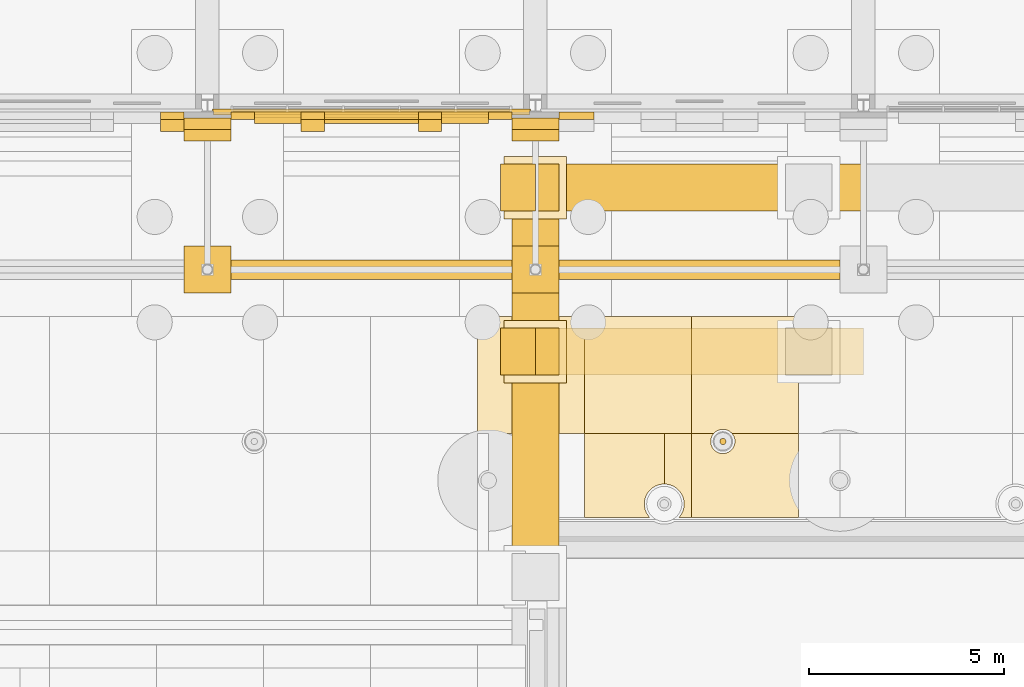
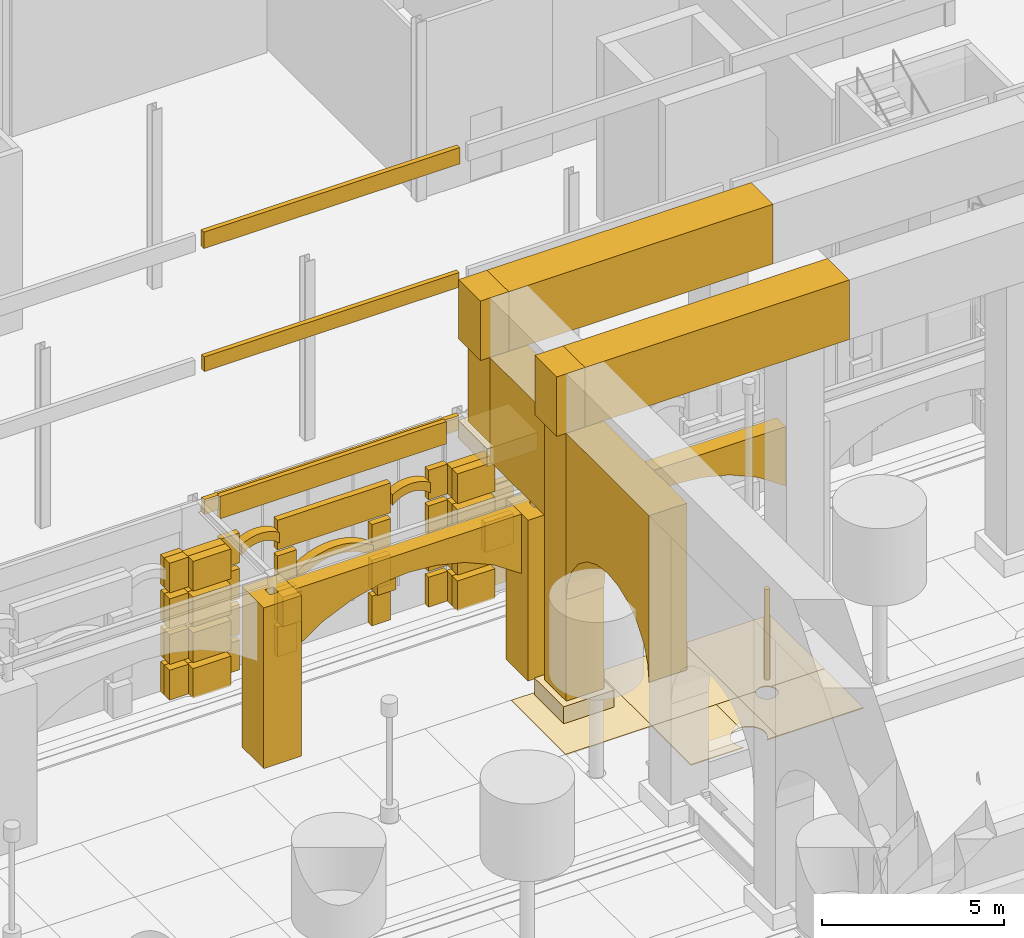
# One storey, part 117 of 222: 72 coverings.
"""IFC4 building model written with IfcOpenShell, lengths in metres."""

from ifc_helpers import new_model, si_unit, direction, frame, origin, origin_2d, place, context, subcontext, project, spatial, polyline, rectangle, hollow_rectangle, circle, outline, extrude, material, layer, layer_set, material_profile, profile_set, type_object, element, save


model = new_model("IFC4")

# Units and contexts
model_context = context("Model", 3, precision=1e-05, world=origin(), true_north=direction((0.0, 1.0)))
body_context = subcontext(model_context, "Body", "Model", "MODEL_VIEW")
ifc_project = project(units=[si_unit("LENGTHUNIT", "METRE"), si_unit("AREAUNIT", "SQUARE_METRE"), si_unit("VOLUMEUNIT", "CUBIC_METRE"), si_unit("PLANEANGLEUNIT", "RADIAN"), si_unit("MASSUNIT", "GRAM", prefix="KILO")], contexts=[model_context])

# Site, building, storey
site_placement = place(None, origin())
site = spatial("IfcSite", under=ifc_project, at=site_placement, CompositionType="ELEMENT")
building_placement = place(site_placement, origin())
building = spatial("IfcBuilding", under=site, at=building_placement, Name="Sava Quay Ferry Terminal", CompositionType="ELEMENT")
storey_placement = place(building_placement, origin())
storey = spatial("IfcBuildingStorey", under=building, at=storey_placement, Name="L00", CompositionType="ELEMENT", Elevation=0.0)

# Coverings
ifc_material_1 = material(Name="Limestone Mutalj ashlar", Category="masonry")
ifc_material_profile = material_profile(ifc_material_1, hollow_rectangle(XDim=1.199951171875, YDim=1.199951171875, WallThickness=0.462890625, at=origin_2d()), Name="Arcade pier 1200")
ifc_profile_set = profile_set([ifc_material_profile], Name="Limestone Mutalj ashlar")
covering_type_1 = type_object("IfcCoveringType", Name="Arcade pier 1200", PredefinedType="CLADDING", material=ifc_profile_set)
for number, where, z_axis, x_axis, name in (
    (1, (16.800048828125, 21.0, 0.0), (0.0, 0.0, 1.0), (1.0, 0.0, 0.0), "Arcade pier"),
    (2, (25.199951171875, 21.0, 0.0), (0.0, 0.0, 1.0), (1.0, 0.0, 0.0), "Arcade pier"),
):
    element("IfcCovering", number, at=place(storey_placement, frame(where, z_axis=z_axis, x_axis=x_axis)), inside=storey, type_object=covering_type_1, Name=name, PredefinedType="CLADDING", context=body_context, shape_type="SweptSolid", body=[
        extrude(hollow_rectangle(XDim=1.199951171875, YDim=1.199951171875, WallThickness=0.462890625, at=origin_2d()), origin(), (0.0, 0.0, 1.0), 5.39990234375),
    ])
ifc_material_2 = material(Name="Limestone Mutalj", Category="masonry")
ifc_layer_1 = layer(ifc_material_2, 0.300048828125)
ifc_layer_set_1 = layer_set([ifc_layer_1], Name="Limestone Mutalj")
covering_type_2 = type_object("IfcCoveringType", Name="Arch band 280", PredefinedType="MOLDING", material=ifc_layer_set_1)
covering_1_placement = place(storey_placement, frame((19.800048828125, 24.739990234375, 2.39990234375), z_axis=(0.0, -1.0, 0.0), x_axis=(0.781799047793, 0.0, 0.623530471485)))
element("IfcCovering", 3, at=covering_1_placement, inside=storey, type_object=covering_type_2, Name="Arch band", PredefinedType="MOLDING", context=body_context, shape_type="SweptSolid", body=[
    extrude(outline(polyline([(0.0, 0.0), (0.30697176602161635, 0.0), (0.5774085434796663, -0.04580853795661438), (0.820139621277012, -0.12635521719699466), (1.0394274147460691, -0.23629570829286917), (1.237403131553046, -0.37295784653010206), (1.4146756881740021, -0.5355781562760831), (1.5706361681328775, -0.7249201131634224), (1.7031533637634648, -0.9436558819062563), (1.8079648597333475, -1.1971297919328558), (1.876241367139664, -1.4964122399160698), (2.103823900066879, -1.2110632222279927), (2.011190733618185, -0.9423197995491883), (1.8922219295799203, -0.7065966979807768), (1.751179903284501, -0.49854958809448635), (1.5908047788741946, -0.31474282954357125), (1.41200993106309, -0.1540312088791158), (1.2155565054462616, -0.015460381560357339), (1.0006833564286355, 0.1000153078719414), (0.766477109296122, 0.19125064596886504), (0.5101976399064538, 0.2548099923836675), (0.2275825329272151, 0.2853490176880771), (0.0, 0.0)])), origin(), (0.0, 0.0, -1.0), 0.300048828125),
])
covering_2_placement = place(storey_placement, frame((18.0, 24.739990234375, 3.89990234375), z_axis=(0.0, -1.0, 0.0), x_axis=(0.766686318179, 0.0, 0.642021876199)))
element("IfcCovering", 4, at=covering_2_placement, inside=storey, type_object=covering_type_2, Name="Arch band", PredefinedType="MOLDING", context=body_context, shape_type="SweptSolid", body=[
    extrude(outline(polyline([(0.0, 0.0), (0.15667057654730215, -1.3877787807814457e-17), (0.29293404656438327, -0.02398938309786766), (0.414337308134961, -0.06610472040016957), (0.5230139006591377, -0.1230376562322823), (0.6205921316676617, -0.19360424362325043), (0.7070111298509724, -0.2771166367750381), (0.7823317665186302, -0.3742626814856812), (0.844925734139887, -0.48622632472613514), (0.8926594933146406, -0.6163159221710233), (0.919986145959173, -0.7703949027137791), (1.1489885778747033, -0.49692597916416525), (1.0994043308893047, -0.3694264559410845), (1.0383473638344554, -0.2552470970326215), (0.9677594714851411, -0.1528295969140227), (0.8882067570202763, -0.06073739267965583), (0.8003770662378966, 0.021090386980039788), (0.7042095278284416, 0.09334158786309998), (0.5997650131014718, 0.15532836417148896), (0.4863556762589516, 0.20698984459564596), (0.3634154141219664, 0.2468894662299388), (0.22900243191553027, 0.27346892354961383), (0.0, 0.0)])), origin(), (0.0, 0.0, -1.0), 0.300048828125),
])
covering_3_placement = place(storey_placement, frame((22.800048828125, 24.739990234375, 3.89990234375), z_axis=(0.0, -1.0, 0.0), x_axis=(0.766042844353, 0.0, 0.642789515017)))
element("IfcCovering", 5, at=covering_3_placement, inside=storey, type_object=covering_type_2, Name="Arch band", PredefinedType="MOLDING", context=body_context, shape_type="SweptSolid", body=[
    extrude(outline(polyline([(0.0, 0.0), (0.1564834757725232, 0.0), (0.29290987034562144, -0.02428279209876255), (0.4140838634817109, -0.06636278232810475), (0.522890396081421, -0.12356147789515273), (0.6202108720586751, -0.19406883930165053), (0.706733197838947, -0.2778246842578833), (0.781769466996763, -0.374889195053566), (0.8444382756181996, -0.4870724111869544), (0.8918546828026273, -0.6170528254509224), (0.9192140087876302, -0.771316031813653), (1.14849024937354, -0.4980766285911245), (1.098846716569099, -0.3703705716175788), (1.0380911714997962, -0.2562870425513622), (0.9674188801474346, -0.15364195753662468), (0.8881454730732465, -0.0616270455684631), (0.8002107679875174, 0.020445599778596002), (0.7043026713157206, 0.09263616079426751), (0.5997332766323826, 0.15488445518883656), (0.48656276622721817, 0.20650257653682963), (0.3634755095389949, 0.24668225383334366), (0.2292762405859099, 0.27323940322252854), (0.0, 0.0)])), origin(), (0.0, 0.0, -1.0), 0.300048828125),
])
ifc_material_3 = material(Name="Limestone Mutalj", Category="masonry")
ifc_layer_2 = layer(ifc_material_3, 0.5)
ifc_layer_set_2 = layer_set([ifc_layer_2], Name="Limestone Mutalj")
covering_type_3 = type_object("IfcCoveringType", Name="Arch spandrel 500", PredefinedType="CLADDING", material=ifc_layer_set_2)
covering_4_placement = place(storey_placement, frame((17.39990234375, 20.75, 3.39990234375), z_axis=(0.0, -1.0, 0.0), x_axis=(0.82736032354, 0.0, 0.561671518801)))
element("IfcCovering", 6, at=covering_4_placement, inside=storey, type_object=covering_type_3, Name="Arch spandrel", PredefinedType="CLADDING", context=body_context, shape_type="SweptSolid", body=[
    extrude(outline(polyline([(0.0, 0.0), (1.0879739561645294, 0.0), (2.0537030363386926, -0.1796359903397191), (2.9236453238279805, -0.500803694057504), (3.7087783614579344, -0.9464634993634635), (4.412732312386162, -1.5117027264310134), (5.0322809979880345, -2.2017083087580276), (5.555638906372053, -3.032971350791818), (5.957155923298685, -4.044144636836617), (7.080498960900935, -2.3894239897573137), (1.1233430376022504, 1.6547206470793037), (0.0, 0.0)])), origin(), (0.0, 0.0, -1.0), 0.5),
])
covering_5_placement = place(storey_placement, frame((25.800048828125, 20.75, 3.39990234375), z_axis=(0.0, -1.0, 0.0), x_axis=(0.827289511466, 0.0, 0.561775813131)))
element("IfcCovering", 7, at=covering_5_placement, inside=storey, type_object=covering_type_3, Name="Arch spandrel", PredefinedType="CLADDING", context=body_context, shape_type="SweptSolid", body=[
    extrude(outline(polyline([(0.0, 0.0), (1.0877719725412898, 0.0), (2.0536803747274233, -0.17989488306098533), (2.92338019324587, -0.5010350986935066), (3.7084570438196027, -0.946793875989717), (4.412541708880196, -1.5122589927881132), (5.031801431017692, -2.202205518952071), (5.555256519444271, -3.0336716822838197), (5.956444087558922, -4.044758424080299), (7.079995713820012, -2.3901794011484654), (1.12355162626109, 1.6545790229318331), (0.0, 0.0)])), origin(), (0.0, 0.0, -1.0), 0.5),
])
ifc_material_4 = material(Name="Limestone Mutalj", Category="masonry")
ifc_layer_3 = layer(ifc_material_4, 0.030029296875)
ifc_layer_set_3 = layer_set([ifc_layer_3], Name="Limestone Mutalj")
covering_type_4 = type_object("IfcCoveringType", Name="Court paving tile 30", PredefinedType="FLOORING", material=ifc_layer_set_3)
covering_6_placement = place(storey_placement, origin())
element("IfcCovering", 8, at=covering_6_placement, inside=storey, type_object=covering_type_4, Name="Limestone paving tile", PredefinedType="FLOORING", context=body_context, shape_type="SweptSolid", body=[
    extrude(outline(polyline([(29.199951171875, 16.800048828125), (29.199951171875, 19.800048828125), (26.4599609375, 19.800048828125), (26.4599609375, 16.800048828125), (29.199951171875, 16.800048828125)])), origin(), (0.0, 0.0, 1.0), 0.030029296875),
])
covering_7_placement = place(storey_placement, origin())
element("IfcCovering", 9, at=covering_7_placement, inside=storey, type_object=covering_type_4, Name="Limestone paving tile", PredefinedType="FLOORING", context=body_context, shape_type="SweptSolid", body=[
    extrude(outline(polyline([(31.93994140625, 14.64990234375), (31.93994140625, 16.800048828125), (30.237060546875, 16.800048828125), (30.257080078125, 16.77294921875), (30.27392578125, 16.74609375), (30.287109375, 16.718017578125), (30.303955078125, 16.659912109375), (30.30908203125, 16.6298828125), (30.31005859375, 16.60009765625), (30.30810546875, 16.569091796875), (30.303955078125, 16.5400390625), (30.297119140625, 16.510009765625), (30.285888671875, 16.48095703125), (30.27294921875, 16.452880859375), (30.258056640625, 16.427978515625), (30.239013671875, 16.403076171875), (30.218994140625, 16.3798828125), (30.172119140625, 16.342041015625), (30.14697265625, 16.326904296875), (30.118896484375, 16.31396484375), (30.090087890625, 16.302978515625), (30.06005859375, 16.2958984375), (30.031005859375, 16.2919921875), (30.0, 16.2900390625), (29.969970703125, 16.291015625), (29.93994140625, 16.2958984375), (29.882080078125, 16.31298828125), (29.85400390625, 16.325927734375), (29.827880859375, 16.342041015625), (29.802978515625, 16.361083984375), (29.780029296875, 16.381103515625), (29.741943359375, 16.427978515625), (29.72705078125, 16.452880859375), (29.714111328125, 16.48095703125), (29.702880859375, 16.510009765625), (29.696044921875, 16.5400390625), (29.69189453125, 16.569091796875), (29.68994140625, 16.60009765625), (29.69091796875, 16.6298828125), (29.696044921875, 16.659912109375), (29.712890625, 16.718017578125), (29.72607421875, 16.74609375), (29.742919921875, 16.77294921875), (29.762939453125, 16.800048828125), (29.199951171875, 16.800048828125), (29.199951171875, 14.64990234375), (31.93994140625, 14.64990234375)])), origin(), (0.0, 0.0, 1.0), 0.030029296875),
])
ifc_material_5 = material(Name="Red sandstone Vrsac", Category="masonry")
ifc_layer_4 = layer(ifc_material_5, 0.030029296875)
ifc_layer_set_4 = layer_set([ifc_layer_4], Name="Red sandstone Vrsac")
covering_type_5 = type_object("IfcCoveringType", Name="Court paving tile sandstone 30", PredefinedType="FLOORING", material=ifc_layer_set_4)
covering_8_placement = place(storey_placement, origin())
element("IfcCovering", 10, at=covering_8_placement, inside=storey, type_object=covering_type_5, Name="Sandstone paving tile", PredefinedType="FLOORING", context=body_context, shape_type="SweptSolid", body=[
    extrude(outline(polyline([(26.4599609375, 16.800048828125), (26.4599609375, 19.800048828125), (23.719970703125, 19.800048828125), (23.719970703125, 16.800048828125), (26.4599609375, 16.800048828125)])), origin(), (0.0, 0.0, 1.0), 0.030029296875),
])
covering_9_placement = place(storey_placement, origin())
element("IfcCovering", 11, at=covering_9_placement, inside=storey, type_object=covering_type_5, Name="Sandstone paving tile", PredefinedType="FLOORING", context=body_context, shape_type="SweptSolid", body=[
    extrude(outline(polyline([(31.93994140625, 16.800048828125), (31.93994140625, 19.800048828125), (29.199951171875, 19.800048828125), (29.199951171875, 16.800048828125), (29.762939453125, 16.800048828125), (29.781005859375, 16.820068359375), (29.802978515625, 16.839111328125), (29.826904296875, 16.85693359375), (29.85302734375, 16.873046875), (29.881103515625, 16.885986328125), (29.909912109375, 16.89599609375), (29.93994140625, 16.904052734375), (29.969970703125, 16.908935546875), (30.0, 16.909912109375), (30.031005859375, 16.907958984375), (30.06103515625, 16.904052734375), (30.090087890625, 16.89599609375), (30.118896484375, 16.885986328125), (30.14697265625, 16.873046875), (30.173095703125, 16.85693359375), (30.197021484375, 16.839111328125), (30.218994140625, 16.820068359375), (30.237060546875, 16.800048828125), (31.93994140625, 16.800048828125)])), origin(), (0.0, 0.0, 1.0), 0.030029296875),
])
covering_10_placement = place(storey_placement, origin())
element("IfcCovering", 12, at=covering_10_placement, inside=storey, type_object=covering_type_5, Name="Sandstone paving tile", PredefinedType="FLOORING", context=body_context, shape_type="SweptSolid", body=[
    extrude(outline(polyline([(28.5, 15.510009765625), (28.5, 16.800048828125), (26.4599609375, 16.800048828125), (26.4599609375, 14.64990234375), (28.1298828125, 14.64990234375), (28.10498046875, 14.677001953125), (28.075927734375, 14.717041015625), (28.050048828125, 14.760009765625), (28.029052734375, 14.804931640625), (28.011962890625, 14.85205078125), (28.0, 14.90087890625), (27.991943359375, 14.950927734375), (27.989990234375, 15.0), (27.992919921875, 15.050048828125), (28.0, 15.10009765625), (28.011962890625, 15.14892578125), (28.029052734375, 15.196044921875), (28.050048828125, 15.240966796875), (28.075927734375, 15.283935546875), (28.10595703125, 15.323974609375), (28.139892578125, 15.361083984375), (28.177001953125, 15.39501953125), (28.217041015625, 15.424072265625), (28.260009765625, 15.449951171875), (28.304931640625, 15.470947265625), (28.35205078125, 15.488037109375), (28.40087890625, 15.5), (28.450927734375, 15.508056640625), (28.5, 15.510009765625)])), origin(), (0.0, 0.0, 1.0), 0.030029296875),
])
covering_11_placement = place(storey_placement, origin())
element("IfcCovering", 13, at=covering_11_placement, inside=storey, type_object=covering_type_5, Name="Sandstone paving tile", PredefinedType="FLOORING", context=body_context, shape_type="SweptSolid", body=[
    extrude(outline(polyline([(29.199951171875, 14.64990234375), (29.199951171875, 16.800048828125), (28.5, 16.800048828125), (28.5, 15.510009765625), (28.550048828125, 15.507080078125), (28.60009765625, 15.5), (28.64892578125, 15.488037109375), (28.696044921875, 15.470947265625), (28.740966796875, 15.449951171875), (28.783935546875, 15.424072265625), (28.823974609375, 15.39404296875), (28.861083984375, 15.360107421875), (28.89501953125, 15.322998046875), (28.924072265625, 15.282958984375), (28.949951171875, 15.239990234375), (28.970947265625, 15.195068359375), (28.988037109375, 15.14794921875), (29.0, 15.09912109375), (29.008056640625, 15.049072265625), (29.010009765625, 15.0), (29.007080078125, 14.949951171875), (29.0, 14.89990234375), (28.988037109375, 14.85107421875), (28.970947265625, 14.803955078125), (28.949951171875, 14.759033203125), (28.924072265625, 14.716064453125), (28.89404296875, 14.676025390625), (28.8701171875, 14.64990234375), (29.199951171875, 14.64990234375)])), origin(), (0.0, 0.0, 1.0), 0.030029296875),
])
ifc_material_6 = material(Name="Steel S355", Category="steel")
ifc_layer_5 = layer(ifc_material_6, 0.159912109375)
ifc_layer_set_5 = layer_set([ifc_layer_5], Name="Steel S355")
covering_type_6 = type_object("IfcCoveringType", Name="Lamp standard column 160", PredefinedType="CLADDING", material=ifc_layer_set_5)
covering_12_placement = place(storey_placement, frame((30.0, 16.60009765625, 3.550048828125), z_axis=(0.0, 0.0, -1.0), x_axis=(1.0, 0.0, 0.0)))
element("IfcCovering", 14, at=covering_12_placement, inside=storey, type_object=covering_type_6, Name="Lamp standard column", PredefinedType="CLADDING", context=body_context, shape_type="SweptSolid", body=[
    extrude(circle(Radius=0.080078125, at=origin_2d()), origin(), (0.0, 0.0, 1.0), 3.050048828125),
])
ifc_material_7 = material(Name="Limestone Mutalj", Category="masonry")
ifc_layer_6 = layer(ifc_material_7, 0.14990234375)
ifc_layer_set_6 = layer_set([ifc_layer_6], Name="Limestone Mutalj")
covering_type_7 = type_object("IfcCoveringType", Name="Limestone string course 150", PredefinedType="CLADDING", material=ifc_layer_set_6)
covering_13_placement = place(storey_placement, frame((0.0, 0.0, 5.25)))
element("IfcCovering", 15, at=covering_13_placement, inside=storey, type_object=covering_type_7, Name="String course W-S", PredefinedType="CLADDING", context=body_context, shape_type="SweptSolid", body=[
    extrude(outline(polyline([(17.39990234375, 25.0400390625), (24.60009765625, 25.0400390625), (24.60009765625, 24.889892578125), (17.39990234375, 24.889892578125), (17.39990234375, 25.0400390625)])), origin(), (0.0, 0.0, 1.0), 0.75),
])
ifc_material_8 = material(Name="Limestone Mutalj", Category="masonry")
ifc_layer_7 = layer(ifc_material_8, 2.0)
ifc_layer_set_7 = layer_set([ifc_layer_7], Name="Limestone Mutalj")
covering_type_8 = type_object("IfcCoveringType", Name="Portico entablature 2000", PredefinedType="CLADDING", material=ifc_layer_set_7)
covering_14_placement = place(storey_placement, frame((24.75, 18.89990234375, 9.60009765625), z_axis=(0.0, 0.0, 1.0), x_axis=(1.0, 0.0, 0.0)))
element("IfcCovering", 16, at=covering_14_placement, inside=storey, type_object=covering_type_8, Name="Portico entablature", PredefinedType="CLADDING", context=body_context, shape_type="SweptSolid", body=[
    extrude(rectangle(XDim=0.89990234375, YDim=1.199951171875, at=origin_2d()), origin(), (0.0, 0.0, 1.0), 2.0),
])
covering_15_placement = place(storey_placement, frame((29.39990234375, 18.89990234375, 9.60009765625), z_axis=(0.0, 0.0, 1.0), x_axis=(1.0, 0.0, 0.0)))
element("IfcCovering", 17, at=covering_15_placement, inside=storey, type_object=covering_type_8, Name="Portico entablature", PredefinedType="CLADDING", context=body_context, shape_type="SweptSolid", body=[
    extrude(rectangle(XDim=8.39990234375, YDim=1.199951171875, at=origin_2d()), origin(), (0.0, 0.0, 1.0), 2.0),
])
covering_16_placement = place(storey_placement, frame((24.75, 23.10009765625, 9.60009765625), z_axis=(0.0, 0.0, 1.0), x_axis=(1.0, 0.0, 0.0)))
element("IfcCovering", 18, at=covering_16_placement, inside=storey, type_object=covering_type_8, Name="Portico entablature", PredefinedType="CLADDING", context=body_context, shape_type="SweptSolid", body=[
    extrude(rectangle(XDim=0.89990234375, YDim=1.199951171875, at=origin_2d()), origin(), (0.0, 0.0, 1.0), 2.0),
])
covering_17_placement = place(storey_placement, frame((29.39990234375, 23.10009765625, 9.60009765625), z_axis=(0.0, 0.0, 1.0), x_axis=(1.0, 0.0, 0.0)))
element("IfcCovering", 19, at=covering_17_placement, inside=storey, type_object=covering_type_8, Name="Portico entablature", PredefinedType="CLADDING", context=body_context, shape_type="SweptSolid", body=[
    extrude(rectangle(XDim=8.39990234375, YDim=1.199951171875, at=origin_2d()), origin(), (0.0, 0.0, 1.0), 2.0),
])
ifc_material_9 = material(Name="Limestone Mutalj", Category="masonry")
ifc_layer_8 = layer(ifc_material_9, 1.199951171875)
ifc_layer_set_8 = layer_set([ifc_layer_8], Name="Limestone Mutalj")
covering_type_9 = type_object("IfcCoveringType", Name="Return arcade spandrel 1200", PredefinedType="CLADDING", material=ifc_layer_set_8)
covering_18_placement = place(storey_placement, frame((24.60009765625, 13.7333984375, 4.0), z_axis=(-1.0, 0.0, 0.0), x_axis=(0.0, 0.0, 1.0)))
element("IfcCovering", 20, at=covering_18_placement, inside=storey, type_object=covering_type_9, Name="Return arcade spandrel", PredefinedType="CLADDING", context=body_context, shape_type="SweptSolid", body=[
    extrude(outline(polyline([(0.0, 0.0), (5.60009765625, 0.0), (5.60009765625, 4.566650390625), (0.0, 4.566650390625), (0.591064453125, 4.48876953125), (1.1416015625, 4.2607421875), (1.614501953125, 3.897705078125), (1.977294921875, 3.4248046875), (2.20556640625, 2.874267578125), (2.283203125, 2.283203125), (2.20556640625, 1.6923828125), (1.977294921875, 1.1416015625), (1.614501953125, 0.668701171875), (1.1416015625, 0.305908203125), (0.591064453125, 0.07763671875), (0.0, 0.0)])), origin(), (0.0, 0.0, -1.0), 1.199951171875),
])
covering_19_placement = place(storey_placement, frame((24.60009765625, 19.5, 6.1201171875), z_axis=(-1.0, 0.0, 0.0), x_axis=(0.0, 0.0, 1.0)))
element("IfcCovering", 21, at=covering_19_placement, inside=storey, type_object=covering_type_9, Name="Return arcade spandrel", PredefinedType="CLADDING", context=body_context, shape_type="SweptSolid", body=[
    extrude(outline(polyline([(0.0, 0.0), (3.47998046875, 0.0), (3.47998046875, 3.0), (0.0, 3.0), (0.0, 0.0)])), origin(), (0.0, 0.0, -1.0), 1.199951171875),
])
ifc_material_10 = material(Name="Limestone Mutalj", Category="masonry")
ifc_layer_9 = layer(ifc_material_10, 1.199951171875)
ifc_layer_set_9 = layer_set([ifc_layer_9], Name="Limestone Mutalj")
covering_type_10 = type_object("IfcCoveringType", Name="Return pier 1200", PredefinedType="CLADDING", material=ifc_layer_set_9)
covering_20_placement = place(storey_placement, frame((25.199951171875, 18.89990234375, 0.60009765625), z_axis=(0.0, 0.0, 1.0), x_axis=(1.0, 0.0, 0.0)))
element("IfcCovering", 22, at=covering_20_placement, inside=storey, type_object=covering_type_10, Name="Return pier", PredefinedType="CLADDING", context=body_context, shape_type="SweptSolid", body=[
    extrude(rectangle(XDim=1.199951171875, YDim=1.199951171875, at=origin_2d()), origin(), (0.0, 0.0, 1.0), 9.0),
])
covering_21_placement = place(storey_placement, frame((25.199951171875, 23.10009765625, 6.719970703125), z_axis=(0.0, 0.0, 1.0), x_axis=(1.0, 0.0, 0.0)))
element("IfcCovering", 23, at=covering_21_placement, inside=storey, type_object=covering_type_10, Name="Return pier", PredefinedType="CLADDING", context=body_context, shape_type="SweptSolid", body=[
    extrude(rectangle(XDim=1.199951171875, YDim=1.199951171875, at=origin_2d()), origin(), (0.0, 0.0, 1.0), 2.8798828125),
])
ifc_material_11 = material(Name="Limestone Mutalj", Category="masonry")
ifc_layer_10 = layer(ifc_material_11, 1.60009765625)
ifc_layer_set_10 = layer_set([ifc_layer_10], Name="Limestone Mutalj")
covering_type_11 = type_object("IfcCoveringType", Name="Return pier base 1600", PredefinedType="MOLDING", material=ifc_layer_set_10)
for number, where, z_axis, x_axis, name in (
    (24, (25.199951171875, 18.89990234375, 0.0), (0.0, 0.0, 1.0), (1.0, 0.0, 0.0), "Return pier base"),
    (25, (25.199951171875, 23.10009765625, 6.119873046875), (0.0, 0.0, 1.0), (1.0, 0.0, 0.0), "Return pier base"),
):
    element("IfcCovering", number, at=place(storey_placement, frame(where, z_axis=z_axis, x_axis=x_axis)), inside=storey, type_object=covering_type_11, Name=name, PredefinedType="MOLDING", context=body_context, shape_type="SweptSolid", body=[
        extrude(rectangle(XDim=1.60009765625, YDim=1.60009765625, at=origin_2d()), origin(), (0.0, 0.0, 1.0), 0.60009765625),
    ])
ifc_material_12 = material(Name="Limestone Mutalj", Category="masonry")
ifc_layer_11 = layer(ifc_material_12, 0.300048828125)
ifc_layer_set_11 = layer_set([ifc_layer_11], Name="Limestone Mutalj")
covering_type_12 = type_object("IfcCoveringType", Name="Rusticated course deepening 300", PredefinedType="CLADDING", material=ifc_layer_set_11)
for number, where, z_axis, x_axis, name in (
    (26, (16.800048828125, 24.43994140625, 0.0), (0.0, 0.0, 1.0), (1.0, 0.0, 0.0), "Rusticated course deepening"),
    (27, (16.800048828125, 24.43994140625, 1.199951171875), (0.0, 0.0, 1.0), (1.0, 0.0, 0.0), "Rusticated course deepening"),
    (28, (16.800048828125, 24.43994140625, 2.39990234375), (0.0, 0.0, 1.0), (1.0, 0.0, 0.0), "Rusticated course deepening"),
    (29, (16.800048828125, 24.43994140625, 3.60009765625), (0.0, 0.0, 1.0), (1.0, 0.0, 0.0), "Rusticated course deepening"),
    (30, (25.199951171875, 24.43994140625, 0.0), (0.0, 0.0, 1.0), (1.0, 0.0, 0.0), "Rusticated course deepening"),
    (31, (25.199951171875, 24.43994140625, 1.199951171875), (0.0, 0.0, 1.0), (1.0, 0.0, 0.0), "Rusticated course deepening"),
    (32, (25.199951171875, 24.43994140625, 2.39990234375), (0.0, 0.0, 1.0), (1.0, 0.0, 0.0), "Rusticated course deepening"),
    (33, (25.199951171875, 24.43994140625, 3.60009765625), (0.0, 0.0, 1.0), (1.0, 0.0, 0.0), "Rusticated course deepening"),
):
    element("IfcCovering", number, at=place(storey_placement, frame(where, z_axis=z_axis, x_axis=x_axis)), inside=storey, type_object=covering_type_12, Name=name, PredefinedType="CLADDING", context=body_context, shape_type="SweptSolid", body=[
        extrude(rectangle(XDim=1.199951171875, YDim=0.300048828125, at=origin_2d()), origin(), (0.0, 0.0, 1.0), 1.0),
    ])
for number, where, z_axis, x_axis, name in (
    (34, (15.89990234375, 24.68994140625, 0.0), (0.0, 0.0, 1.0), (1.0, 0.0, 0.0), "Rusticated course deepening"),
    (35, (15.89990234375, 24.68994140625, 1.199951171875), (0.0, 0.0, 1.0), (1.0, 0.0, 0.0), "Rusticated course deepening"),
    (36, (15.89990234375, 24.68994140625, 2.39990234375), (0.0, 0.0, 1.0), (1.0, 0.0, 0.0), "Rusticated course deepening"),
    (37, (15.89990234375, 24.68994140625, 3.60009765625), (0.0, 0.0, 1.0), (1.0, 0.0, 0.0), "Rusticated course deepening"),
    (38, (19.5, 24.68994140625, 1.199951171875), (0.0, 0.0, 1.0), (1.0, 0.0, 0.0), "Rusticated course deepening"),
    (39, (22.5, 24.68994140625, 1.199951171875), (0.0, 0.0, 1.0), (1.0, 0.0, 0.0), "Rusticated course deepening"),
):
    element("IfcCovering", number, at=place(storey_placement, frame(where, z_axis=z_axis, x_axis=x_axis)), inside=storey, type_object=covering_type_12, Name=name, PredefinedType="CLADDING", context=body_context, shape_type="SweptSolid", body=[
        extrude(rectangle(XDim=0.60009765625, YDim=0.300048828125, at=origin_2d()), origin(), (0.0, 0.0, 1.0), 1.0),
    ])
ifc_material_13 = material(Name="Limestone Mutalj", Category="masonry")
ifc_layer_12 = layer(ifc_material_13, 0.300048828125)
ifc_layer_set_12 = layer_set([ifc_layer_12], Name="Limestone Mutalj")
covering_type_13 = type_object("IfcCoveringType", Name="Rusticated pier course 300", PredefinedType="CLADDING", material=ifc_layer_set_12)
for number, where, z_axis, x_axis, name in (
    (40, (16.800048828125, 24.739990234375, 0.0), (0.0, 0.0, 1.0), (1.0, 0.0, 0.0), "Rusticated pier course"),
    (41, (16.800048828125, 24.739990234375, 1.199951171875), (0.0, 0.0, 1.0), (1.0, 0.0, 0.0), "Rusticated pier course"),
    (42, (16.800048828125, 24.739990234375, 2.39990234375), (0.0, 0.0, 1.0), (1.0, 0.0, 0.0), "Rusticated pier course"),
    (43, (16.800048828125, 24.739990234375, 3.60009765625), (0.0, 0.0, 1.0), (1.0, 0.0, 0.0), "Rusticated pier course"),
    (44, (25.199951171875, 24.739990234375, 0.0), (0.0, 0.0, 1.0), (1.0, 0.0, 0.0), "Rusticated pier course"),
    (45, (25.199951171875, 24.739990234375, 1.199951171875), (0.0, 0.0, 1.0), (1.0, 0.0, 0.0), "Rusticated pier course"),
    (46, (25.199951171875, 24.739990234375, 2.39990234375), (0.0, 0.0, 1.0), (1.0, 0.0, 0.0), "Rusticated pier course"),
    (47, (25.199951171875, 24.739990234375, 3.60009765625), (0.0, 0.0, 1.0), (1.0, 0.0, 0.0), "Rusticated pier course"),
):
    element("IfcCovering", number, at=place(storey_placement, frame(where, z_axis=z_axis, x_axis=x_axis)), inside=storey, type_object=covering_type_13, Name=name, PredefinedType="CLADDING", context=body_context, shape_type="SweptSolid", body=[
        extrude(rectangle(XDim=1.199951171875, YDim=0.300048828125, at=origin_2d()), origin(), (0.0, 0.0, 1.0), 1.0),
    ])
ifc_material_14 = material(Name="Limestone Mutalj", Category="masonry")
ifc_layer_13 = layer(ifc_material_14, 0.199951171875)
ifc_layer_set_13 = layer_set([ifc_layer_13], Name="Limestone Mutalj")
covering_type_14 = type_object("IfcCoveringType", Name="Rusticated wall course 200", PredefinedType="CLADDING", material=ifc_layer_set_13)
for number, where, z_axis, x_axis, name in (
    (48, (15.89990234375, 24.93994140625, 0.0), (0.0, 0.0, 1.0), (1.0, 0.0, 0.0), "Rusticated wall course"),
    (49, (15.89990234375, 24.93994140625, 1.199951171875), (0.0, 0.0, 1.0), (1.0, 0.0, 0.0), "Rusticated wall course"),
    (50, (15.89990234375, 24.93994140625, 2.39990234375), (0.0, 0.0, 1.0), (1.0, 0.0, 0.0), "Rusticated wall course"),
    (51, (15.89990234375, 24.93994140625, 3.60009765625), (0.0, 0.0, 1.0), (1.0, 0.0, 0.0), "Rusticated wall course"),
    (52, (17.699951171875, 24.93994140625, 0.0), (0.0, 0.0, 1.0), (1.0, 0.0, 0.0), "Rusticated wall course"),
    (53, (19.5, 24.93994140625, 0.0), (0.0, 0.0, 1.0), (1.0, 0.0, 0.0), "Rusticated wall course"),
    (54, (22.5, 24.93994140625, 0.0), (0.0, 0.0, 1.0), (1.0, 0.0, 0.0), "Rusticated wall course"),
    (55, (24.300048828125, 24.93994140625, 0.0), (0.0, 0.0, 1.0), (1.0, 0.0, 0.0), "Rusticated wall course"),
    (56, (17.699951171875, 24.93994140625, 1.199951171875), (0.0, 0.0, 1.0), (1.0, 0.0, 0.0), "Rusticated wall course"),
    (57, (19.5, 24.93994140625, 1.199951171875), (0.0, 0.0, 1.0), (1.0, 0.0, 0.0), "Rusticated wall course"),
    (58, (22.5, 24.93994140625, 1.199951171875), (0.0, 0.0, 1.0), (1.0, 0.0, 0.0), "Rusticated wall course"),
    (59, (24.300048828125, 24.93994140625, 1.199951171875), (0.0, 0.0, 1.0), (1.0, 0.0, 0.0), "Rusticated wall course"),
    (60, (17.699951171875, 24.93994140625, 2.39990234375), (0.0, 0.0, 1.0), (1.0, 0.0, 0.0), "Rusticated wall course"),
    (61, (19.5, 24.93994140625, 2.39990234375), (0.0, 0.0, 1.0), (1.0, 0.0, 0.0), "Rusticated wall course"),
    (62, (22.5, 24.93994140625, 2.39990234375), (0.0, 0.0, 1.0), (1.0, 0.0, 0.0), "Rusticated wall course"),
    (63, (24.300048828125, 24.93994140625, 2.39990234375), (0.0, 0.0, 1.0), (1.0, 0.0, 0.0), "Rusticated wall course"),
    (64, (17.699951171875, 24.93994140625, 3.60009765625), (0.0, 0.0, 1.0), (1.0, 0.0, 0.0), "Rusticated wall course"),
):
    element("IfcCovering", number, at=place(storey_placement, frame(where, z_axis=z_axis, x_axis=x_axis)), inside=storey, type_object=covering_type_14, Name=name, PredefinedType="CLADDING", context=body_context, shape_type="SweptSolid", body=[
        extrude(rectangle(XDim=0.60009765625, YDim=0.199951171875, at=origin_2d()), origin(), (0.0, 0.0, 1.0), 1.0),
    ])
covering_22_placement = place(storey_placement, frame((21.0, 24.93994140625, 3.60009765625), z_axis=(0.0, 0.0, 1.0), x_axis=(1.0, 0.0, 0.0)))
element("IfcCovering", 65, at=covering_22_placement, inside=storey, type_object=covering_type_14, Name="Rusticated wall course", PredefinedType="CLADDING", context=body_context, shape_type="SweptSolid", body=[
    extrude(rectangle(XDim=3.60009765625, YDim=0.199951171875, at=origin_2d()), origin(), (0.0, 0.0, 1.0), 1.0),
])
covering_23_placement = place(storey_placement, frame((24.300048828125, 24.93994140625, 3.60009765625), z_axis=(0.0, 0.0, 1.0), x_axis=(1.0, 0.0, 0.0)))
element("IfcCovering", 66, at=covering_23_placement, inside=storey, type_object=covering_type_14, Name="Rusticated wall course", PredefinedType="CLADDING", context=body_context, shape_type="SweptSolid", body=[
    extrude(rectangle(XDim=0.60009765625, YDim=0.199951171875, at=origin_2d()), origin(), (0.0, 0.0, 1.0), 1.0),
])
for number, where, z_axis, x_axis, name in (
    (67, (26.25, 24.93994140625, 0.0), (0.0, 0.0, 1.0), (1.0, 0.0, 0.0), "Rusticated wall course"),
    (68, (26.25, 24.93994140625, 1.199951171875), (0.0, 0.0, 1.0), (1.0, 0.0, 0.0), "Rusticated wall course"),
    (69, (26.25, 24.93994140625, 2.39990234375), (0.0, 0.0, 1.0), (1.0, 0.0, 0.0), "Rusticated wall course"),
):
    element("IfcCovering", number, at=place(storey_placement, frame(where, z_axis=z_axis, x_axis=x_axis)), inside=storey, type_object=covering_type_14, Name=name, PredefinedType="CLADDING", context=body_context, shape_type="SweptSolid", body=[
        extrude(rectangle(XDim=0.89990234375, YDim=0.199951171875, at=origin_2d()), origin(), (0.0, 0.0, 1.0), 1.0),
    ])
ifc_material_15 = material(Name="Limestone Mutalj", Category="masonry")
ifc_layer_14 = layer(ifc_material_15, 0.14990234375)
ifc_layer_set_14 = layer_set([ifc_layer_14], Name="Limestone Mutalj")
covering_type_15 = type_object("IfcCoveringType", Name="Slab edge fascia 150", PredefinedType="CLADDING", material=ifc_layer_set_14)
for number, where, name in (
    (70, (0.0, 0.0, 5.510009765625), "Slab edge fascia"),
    (71, (0.0, 0.0, 10.31005859375), "Slab edge fascia"),
):
    element("IfcCovering", number, at=place(storey_placement, frame(where)), inside=storey, type_object=covering_type_15, Name=name, PredefinedType="CLADDING", context=body_context, shape_type="SweptSolid", body=[
        extrude(outline(polyline([(25.050048828125, 25.116943359375), (16.949951171875, 25.116943359375), (16.949951171875, 24.967041015625), (25.050048828125, 24.967041015625), (25.050048828125, 25.116943359375)])), origin(), (0.0, 0.0, 1.0), 0.489990234375),
    ])
covering_24_placement = place(storey_placement, frame((0.0, 0.0, 14.449951171875)))
element("IfcCovering", 72, at=covering_24_placement, inside=storey, type_object=covering_type_15, Name="Slab edge fascia", PredefinedType="CLADDING", context=body_context, shape_type="SweptSolid", body=[
    extrude(outline(polyline([(25.070068359375, 25.112060546875), (16.929931640625, 25.112060546875), (16.929931640625, 24.9619140625), (25.070068359375, 24.9619140625), (25.070068359375, 25.112060546875)])), origin(), (0.0, 0.0, 1.0), 0.550048828125),
])

save(model, "model.ifc")
